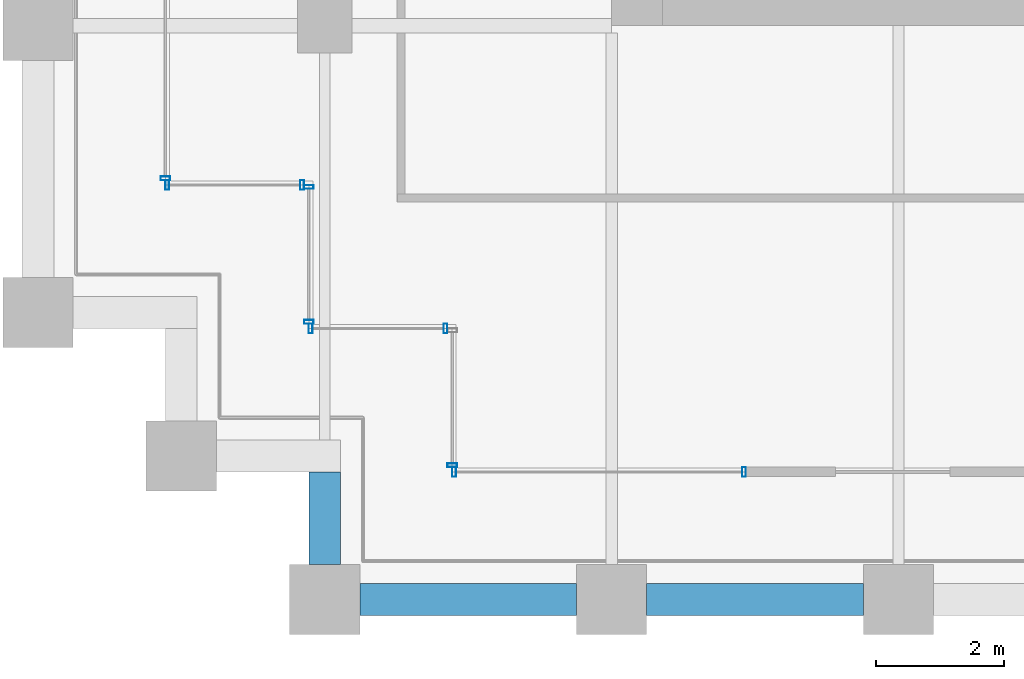
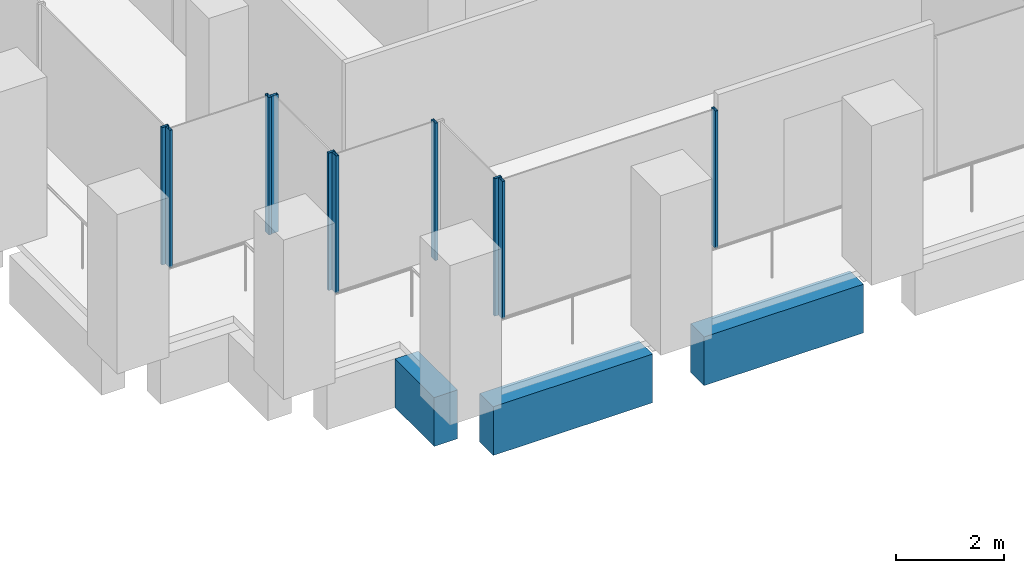
# One storey, part 34 of 54: 10 members, 3 beams, 6 elements without a shape of their own.
"""IFC4 building model written with IfcOpenShell, lengths in metres."""

from ifc_helpers import new_model, si_unit, direction, frame, origin, origin_2d, place, context, subcontext, project, spatial, rectangle, hollow_rectangle, extrude, material, material_profile, profile_set, type_object, element, aggregate, save


model = new_model("IFC4")

# Units and contexts
model_context = context("Model", 3, precision=1e-05, world=origin(), true_north=direction((0.0, 1.0)))
body_context = subcontext(model_context, "Body", "Model", "MODEL_VIEW")
ifc_project = project(units=[si_unit("LENGTHUNIT", "METRE"), si_unit("AREAUNIT", "SQUARE_METRE"), si_unit("VOLUMEUNIT", "CUBIC_METRE"), si_unit("PLANEANGLEUNIT", "RADIAN"), si_unit("MASSUNIT", "GRAM", prefix="KILO")], contexts=[model_context])

# Site, building, storey
site_placement = place(None, origin())
site = spatial("IfcSite", under=ifc_project, at=site_placement, CompositionType="ELEMENT")
building_placement = place(site_placement, origin())
building = spatial("IfcBuilding", under=site, at=building_placement, Name="Altepetl Exchange Towers", CompositionType="ELEMENT")
storey_placement = place(building_placement, frame((0.0, 0.0, 61.800048828125)))
storey = spatial("IfcBuildingStorey", under=building, at=storey_placement, Name="L14", CompositionType="ELEMENT", Elevation=61.800048828125)

# Curtain wall, member
ifc_material_1 = material(Name="Aluminium 6063-T6 glazing", Category="aluminium")
curtain_wall_type = type_object("IfcCurtainWallType", Name="Loggia glazing system", PredefinedType="NOTDEFINED", material=ifc_material_1)
curtain_wall_1_placement = place(storey_placement, origin())
curtain_wall_1 = element("IfcCurtainWall", 1, at=curtain_wall_1_placement, inside=storey, type_object=curtain_wall_type, Name="CW1 run", PredefinedType="NOTDEFINED")
ifc_material_2 = material(Name="Aluminium 6063-T6", Category="aluminium")
ifc_material_profile_1 = material_profile(ifc_material_2, hollow_rectangle(XDim=0.06005859375, YDim=0.14990234375, WallThickness=0.0029296875, at=origin_2d()), Name="Mullion 60x150 aluminium")
ifc_profile_set_1 = profile_set([ifc_material_profile_1], Name="Aluminium 6063-T6")
member_type = type_object("IfcMemberType", Name="Mullion 60x150 aluminium", PredefinedType="MULLION", material=ifc_profile_set_1)
member_1_placement = place(storey_placement, frame((96.5, 33.60498046875, 0.0), z_axis=(0.0, 0.0, 1.0), x_axis=(0.0, -1.0, 0.0)))
member_1 = element("IfcMember", 2, at=member_1_placement, type_object=member_type, Name="MU1 mullion", PredefinedType="MULLION", context=body_context, shape_type="SweptSolid", body=[
    extrude(hollow_rectangle(XDim=0.06005859375, YDim=0.14990234375, WallThickness=0.0029296875, at=origin_2d()), origin(), (0.0, 0.0, 1.0), 3.099853515625),
])
aggregate(curtain_wall_1, [member_1])

# Curtain wall, members
curtain_wall_2_placement = place(storey_placement, origin())
curtain_wall_2 = element("IfcCurtainWall", 3, at=curtain_wall_2_placement, inside=storey, type_object=curtain_wall_type, Name="CW1 run", PredefinedType="NOTDEFINED")
member_2_placement = place(storey_placement, frame((96.530029296875, 33.5, 0.0)))
member_2 = element("IfcMember", 4, at=member_2_placement, type_object=member_type, Name="MU1 mullion", PredefinedType="MULLION", context=body_context, shape_type="SweptSolid", body=[
    extrude(hollow_rectangle(XDim=0.06005859375, YDim=0.14990234375, WallThickness=0.0029296875, at=origin_2d()), origin(), (0.0, 0.0, 1.0), 3.099853515625),
])
member_3_placement = place(storey_placement, frame((98.64501953125, 33.5, 0.0)))
member_3 = element("IfcMember", 5, at=member_3_placement, type_object=member_type, Name="MU1 mullion", PredefinedType="MULLION", context=body_context, shape_type="SweptSolid", body=[
    extrude(hollow_rectangle(XDim=0.06005859375, YDim=0.14990234375, WallThickness=0.0029296875, at=origin_2d()), origin(), (0.0, 0.0, 1.0), 3.099853515625),
])
aggregate(curtain_wall_2, [member_2, member_3])

curtain_wall_3_placement = place(storey_placement, origin())
curtain_wall_3 = element("IfcCurtainWall", 6, at=curtain_wall_3_placement, inside=storey, type_object=curtain_wall_type, Name="CW1 run", PredefinedType="NOTDEFINED")
member_4_placement = place(storey_placement, frame((98.75, 33.469970703125, 0.0), z_axis=(0.0, 0.0, 1.0), x_axis=(0.0, -1.0, 0.0)))
member_4 = element("IfcMember", 7, at=member_4_placement, type_object=member_type, Name="MU1 mullion", PredefinedType="MULLION", context=body_context, shape_type="SweptSolid", body=[
    extrude(hollow_rectangle(XDim=0.06005859375, YDim=0.14990234375, WallThickness=0.0029296875, at=origin_2d()), origin(), (0.0, 0.0, 1.0), 3.099853515625),
])
member_5_placement = place(storey_placement, frame((98.75, 31.35498046875, 0.0), z_axis=(0.0, 0.0, 1.0), x_axis=(0.0, -1.0, 0.0)))
member_5 = element("IfcMember", 8, at=member_5_placement, type_object=member_type, Name="MU1 mullion", PredefinedType="MULLION", context=body_context, shape_type="SweptSolid", body=[
    extrude(hollow_rectangle(XDim=0.06005859375, YDim=0.14990234375, WallThickness=0.0029296875, at=origin_2d()), origin(), (0.0, 0.0, 1.0), 3.099853515625),
])
aggregate(curtain_wall_3, [member_4, member_5])

curtain_wall_4_placement = place(storey_placement, origin())
curtain_wall_4 = element("IfcCurtainWall", 9, at=curtain_wall_4_placement, inside=storey, type_object=curtain_wall_type, Name="CW1 run", PredefinedType="NOTDEFINED")
member_6_placement = place(storey_placement, frame((98.780029296875, 31.25, 0.0)))
member_6 = element("IfcMember", 10, at=member_6_placement, type_object=member_type, Name="MU1 mullion", PredefinedType="MULLION", context=body_context, shape_type="SweptSolid", body=[
    extrude(hollow_rectangle(XDim=0.06005859375, YDim=0.14990234375, WallThickness=0.0029296875, at=origin_2d()), origin(), (0.0, 0.0, 1.0), 3.099853515625),
])
member_7_placement = place(storey_placement, frame((100.89501953125, 31.25, 0.0)))
member_7 = element("IfcMember", 11, at=member_7_placement, type_object=member_type, Name="MU1 mullion", PredefinedType="MULLION", context=body_context, shape_type="SweptSolid", body=[
    extrude(hollow_rectangle(XDim=0.06005859375, YDim=0.14990234375, WallThickness=0.0029296875, at=origin_2d()), origin(), (0.0, 0.0, 1.0), 3.099853515625),
])
aggregate(curtain_wall_4, [member_6, member_7])

# Curtain wall, member
curtain_wall_5_placement = place(storey_placement, origin())
curtain_wall_5 = element("IfcCurtainWall", 12, at=curtain_wall_5_placement, inside=storey, type_object=curtain_wall_type, Name="CW1 run", PredefinedType="NOTDEFINED")
member_8_placement = place(storey_placement, frame((101.0, 29.10498046875, 0.0), z_axis=(0.0, 0.0, 1.0), x_axis=(0.0, -1.0, 0.0)))
member_8 = element("IfcMember", 13, at=member_8_placement, type_object=member_type, Name="MU1 mullion", PredefinedType="MULLION", context=body_context, shape_type="SweptSolid", body=[
    extrude(hollow_rectangle(XDim=0.06005859375, YDim=0.14990234375, WallThickness=0.0029296875, at=origin_2d()), origin(), (0.0, 0.0, 1.0), 3.099853515625),
])
aggregate(curtain_wall_5, [member_8])

# Curtain wall, members
curtain_wall_6_placement = place(storey_placement, origin())
curtain_wall_6 = element("IfcCurtainWall", 14, at=curtain_wall_6_placement, inside=storey, type_object=curtain_wall_type, Name="CW1 run", PredefinedType="NOTDEFINED")
member_9_placement = place(storey_placement, frame((101.030029296875, 29.0, 0.0)))
member_9 = element("IfcMember", 15, at=member_9_placement, type_object=member_type, Name="MU1 mullion", PredefinedType="MULLION", context=body_context, shape_type="SweptSolid", body=[
    extrude(hollow_rectangle(XDim=0.06005859375, YDim=0.14990234375, WallThickness=0.0029296875, at=origin_2d()), origin(), (0.0, 0.0, 1.0), 3.099853515625),
])
member_10_placement = place(storey_placement, frame((105.576171875, 29.0, 0.0)))
member_10 = element("IfcMember", 16, at=member_10_placement, type_object=member_type, Name="MU1 mullion", PredefinedType="MULLION", context=body_context, shape_type="SweptSolid", body=[
    extrude(hollow_rectangle(XDim=0.06005859375, YDim=0.14990234375, WallThickness=0.0029296875, at=origin_2d()), origin(), (0.0, 0.0, 1.0), 3.099853515625),
])
aggregate(curtain_wall_6, [member_9, member_10])

# Beams
ifc_material_3 = material(Name="Concrete C50/60 precast with tezontle facing", Category="concrete")
ifc_material_profile_2 = material_profile(ifc_material_3, rectangle(XDim=0.5, YDim=1.10009765625, at=origin_2d()), Name="500 x 1100")
ifc_profile_set_2 = profile_set([ifc_material_profile_2], Name="Concrete C50/60 precast with tezontle facing")
beam_type = type_object("IfcBeamType", Name="Spandrel beam 500x1100 tezontle", PredefinedType="SPANDREL", material=ifc_profile_set_2)
for number, where, z_axis, x_axis, name in (
    (17, (99.550048828125, 27.0, -0.699951171875), (1.0, 0.0, 0.0), (0.0, 1.0, 0.0), "sp:B:L14:000"),
    (18, (104.050048828125, 27.0, -0.699951171875), (1.0, 0.0, 0.0), (0.0, 1.0, 0.0), "sp:B:L14:001"),
):
    element("IfcBeam", number, at=place(storey_placement, frame(where, z_axis=z_axis, x_axis=x_axis)), inside=storey, type_object=beam_type, Name=name, PredefinedType="SPANDREL", context=body_context, shape_type="SweptSolid", body=[
        extrude(rectangle(XDim=0.5, YDim=1.10009765625, at=origin_2d()), origin(), (0.0, 0.0, 1.0), 3.39990234375),
    ])
beam_placement = place(storey_placement, frame((99.0, 29.0, -0.699951171875), z_axis=(0.0, -1.0, 0.0), x_axis=(1.0, 0.0, 0.0)))
element("IfcBeam", 19, at=beam_placement, inside=storey, type_object=beam_type, Name="sp:B:L14:035", PredefinedType="SPANDREL", context=body_context, shape_type="SweptSolid", body=[
    extrude(rectangle(XDim=0.5, YDim=1.10009765625, at=origin_2d()), origin(), (0.0, 0.0, 1.0), 1.449951171875),
])

save(model, "model.ifc")
